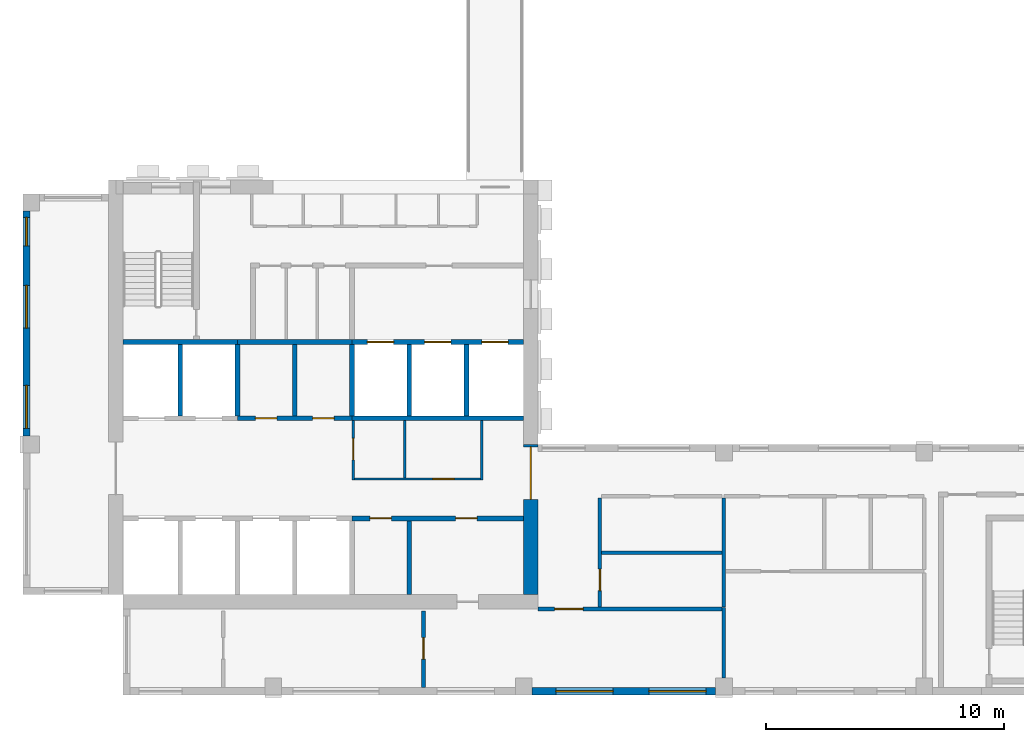
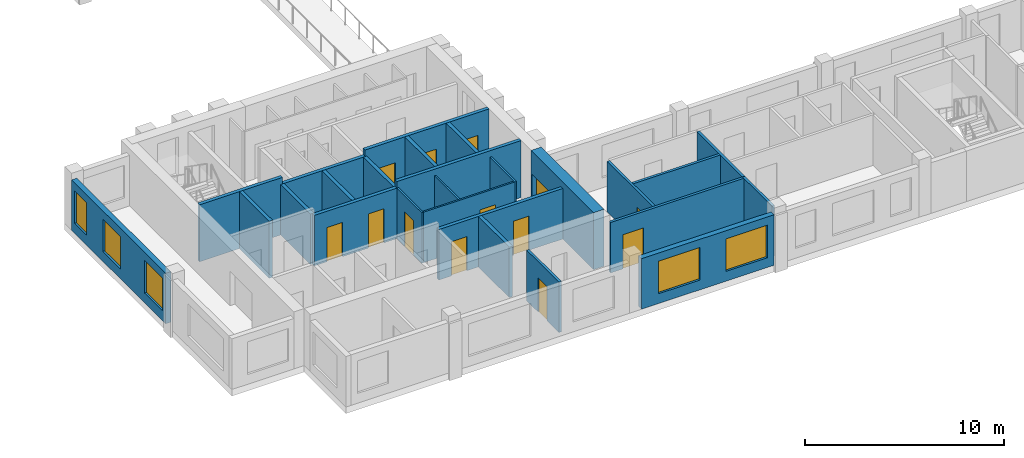
# One storey, part 2 of 9: 26 walls, 13 doors, 5 windows, 18 openings.
"""IFC4 building model written with IfcOpenShell, lengths in metres."""

from ifc_helpers import new_model, si_unit, direction, frame, frame_2d, origin, place, context, subcontext, project, spatial, rectangle, extrude, source, transform, mapped, material, layer, layer_set, type_object, element, fill, save


model = new_model("IFC4")

# Units and contexts
model_context = context("Model", 3, precision=1e-05, world=origin(), true_north=direction((0.0, 1.0)))
body_context = subcontext(model_context, "Body", "Model", "MODEL_VIEW")
ifc_project = project(units=[si_unit("LENGTHUNIT", "METRE"), si_unit("AREAUNIT", "SQUARE_METRE"), si_unit("VOLUMEUNIT", "CUBIC_METRE"), si_unit("PLANEANGLEUNIT", "RADIAN"), si_unit("MASSUNIT", "GRAM", prefix="KILO")], contexts=[model_context])

# Site, building, storey
site_placement = place(None, origin())
site = spatial("IfcSite", under=ifc_project, at=site_placement, CompositionType="ELEMENT")
building_placement = place(site_placement, origin())
building = spatial("IfcBuilding", under=site, at=building_placement, Name="Aurelian Terraces", CompositionType="ELEMENT")
storey_placement = place(building_placement, frame((0.0, 0.0, 316.0)))
storey = spatial("IfcBuildingStorey", under=building, at=storey_placement, Name="L73", CompositionType="ELEMENT", Elevation=316.0)

# Wall, opening, door
ifc_material_1 = material(Name="Concrete fc' 55 MPa", Category="concrete")
ifc_layer_1 = layer(ifc_material_1, 0.6)
ifc_layer_set_1 = layer_set([ifc_layer_1], Name="CORE WALL 600 FC55")
wall_type_1 = type_object("IfcWallType", Name="CORE WALL 600 FC55", PredefinedType="SHEAR", material=ifc_layer_set_1)
shared_shape_1 = source(origin(), body_context, "Body", "SweptSolid", [
    extrude(rectangle(XDim=6.3, YDim=0.6, at=frame_2d((3.15, 0.0))), origin(), (0.0, 0.0, 1.0), 3.5),
])
wall_1_placement = place(storey_placement, frame((21.3, 4.2, 0.0), z_axis=(0.0, 0.0, 1.0), x_axis=(0.0, 1.0, 0.0)))
wall_1 = element("IfcWall", 1, at=wall_1_placement, inside=storey, type_object=wall_type_1, Name="Core wall E L73", PredefinedType="SHEAR", context=body_context, shape_type="MappedRepresentation", body=[
    mapped(shared_shape_1, transform((0.0, 0.0, 0.0), scale=1.0)),
])
shared_shape_2 = source(origin(), body_context, "Body", "SweptSolid", [
    extrude(rectangle(XDim=2.2, YDim=2.1, at=frame_2d((1.1, 1.05))), frame((0.0, 0.31, 0.0), z_axis=(0.0, -1.0, 0.0), x_axis=(1.0, 0.0, 0.0)), (0.0, 0.0, 1.0), 0.62),
])
opening_1_placement = place(wall_1_placement, frame((4.0, 0.0, 0.0)))
opening_1 = element("IfcOpeningElement", 2, at=opening_1_placement, cuts=wall_1, Name="Opening 67631", PredefinedType="OPENING", context=body_context, shape_type="MappedRepresentation", body=[
    mapped(shared_shape_2, transform((0.0, 0.0, 0.0), scale=1.0)),
])
ifc_material_2 = material(Name="Steel door leaf", Category="steel")
door_type_1 = type_object("IfcDoorType", Name="Core double door 2200x2100", OperationType="DOUBLE_DOOR_SINGLE_SWING", PredefinedType="DOOR", material=ifc_material_2)
shared_shape_3 = source(origin(), body_context, "Body", "SweptSolid", [
    extrude(rectangle(XDim=2.2, YDim=2.1, at=frame_2d((1.1, 1.05))), frame((0.0, 0.025, 0.0), z_axis=(0.0, -1.0, 0.0), x_axis=(1.0, 0.0, 0.0)), (0.0, 0.0, 1.0), 0.05),
])
door_1_placement = place(opening_1_placement, origin())
door_1 = element("IfcDoor", 3, at=door_1_placement, inside=storey, type_object=door_type_1, Name="Core door 67631", OperationType="DOUBLE_DOOR_SINGLE_SWING", OverallHeight=2.1, OverallWidth=2.2, PredefinedType="DOOR", context=body_context, shape_type="MappedRepresentation", body=[
    mapped(shared_shape_3, transform((0.0, 0.0, 0.0), scale=1.0)),
])
fill(opening_1, door_1)

# Wall, openings, windows
ifc_material_3 = material(Name="Terracotta rainscreen cladding", Category="masonry")
ifc_layer_2 = layer(ifc_material_3, 0.3)
ifc_layer_set_2 = layer_set([ifc_layer_2], Name="EW-300")
wall_type_2 = type_object("IfcWallType", Name="EW-300", PredefinedType="STANDARD", material=ifc_layer_set_2)
shared_shape_4 = source(origin(), body_context, "Body", "SweptSolid", [
    extrude(rectangle(XDim=7.7, YDim=0.3, at=frame_2d((3.85, 0.0))), origin(), (0.0, 0.0, 1.0), 3.1),
])
wall_2_placement = place(storey_placement, frame((21.35, 0.15, 0.0), z_axis=(0.0, 0.0, 1.0), x_axis=(1.0, 0.0, 0.0)))
wall_2 = element("IfcWall", 4, at=wall_2_placement, inside=storey, type_object=wall_type_2, Name="External wall L73 F01.3", PredefinedType="STANDARD", context=body_context, shape_type="MappedRepresentation", body=[
    mapped(shared_shape_4, transform((0.0, 0.0, 0.0), scale=1.0)),
])
shared_shape_5 = source(origin(), body_context, "Body", "SweptSolid", [
    extrude(rectangle(XDim=2.4, YDim=2.0, at=frame_2d((1.2, 1.0))), frame((0.0, 0.16, 0.0), z_axis=(0.0, -1.0, 0.0), x_axis=(1.0, 0.0, 0.0)), (0.0, 0.0, 1.0), 0.32),
])
opening_2_placement = place(wall_2_placement, frame((1.0, 0.0, 0.6)))
opening_2 = element("IfcOpeningElement", 5, at=opening_2_placement, cuts=wall_2, Name="Opening W2420", PredefinedType="OPENING", context=body_context, shape_type="MappedRepresentation", body=[
    mapped(shared_shape_5, transform((0.0, 0.0, 0.0), scale=1.0)),
])
opening_3_placement = place(wall_2_placement, frame((4.9, 0.0, 0.6)))
opening_3 = element("IfcOpeningElement", 6, at=opening_3_placement, cuts=wall_2, Name="Opening W2420", PredefinedType="OPENING", context=body_context, shape_type="MappedRepresentation", body=[
    mapped(shared_shape_5, transform((0.0, 0.0, 0.0), scale=1.0)),
])
ifc_material_4 = material(Name="Clear glazing", Category="glass")
window_type_1 = type_object("IfcWindowType", Name="W-2400x2000", PartitioningType="SINGLE_PANEL", PredefinedType="WINDOW", material=ifc_material_4)
shared_shape_6 = source(origin(), body_context, "Body", "SweptSolid", [
    extrude(rectangle(XDim=2.4, YDim=2.0, at=frame_2d((1.2, 1.0))), frame((0.0, 0.03, 0.0), z_axis=(0.0, -1.0, 0.0), x_axis=(1.0, 0.0, 0.0)), (0.0, 0.0, 1.0), 0.06),
])
window_1_placement = place(opening_2_placement, origin())
window_1 = element("IfcWindow", 7, at=window_1_placement, inside=storey, type_object=window_type_1, Name="Window L73 L73-F01-03-1", OverallHeight=2.0, OverallWidth=2.4, PartitioningType="SINGLE_PANEL", PredefinedType="WINDOW", context=body_context, shape_type="MappedRepresentation", body=[
    mapped(shared_shape_6, transform((0.0, 0.0, 0.0), scale=1.0)),
])
fill(opening_2, window_1)
window_2_placement = place(opening_3_placement, origin())
window_2 = element("IfcWindow", 8, at=window_2_placement, inside=storey, type_object=window_type_1, Name="Window L73 L73-F01-03-2", OverallHeight=2.0, OverallWidth=2.4, PartitioningType="SINGLE_PANEL", PredefinedType="WINDOW", context=body_context, shape_type="MappedRepresentation", body=[
    mapped(shared_shape_6, transform((0.0, 0.0, 0.0), scale=1.0)),
])
fill(opening_3, window_2)

shared_shape_7 = source(origin(), body_context, "Body", "SweptSolid", [
    extrude(rectangle(XDim=9.45, YDim=0.3, at=frame_2d((4.725, 0.0))), origin(), (0.0, 0.0, 1.0), 3.1),
])
wall_3_placement = place(storey_placement, frame((0.15, 20.3, 0.0), z_axis=(0.0, 0.0, 1.0), x_axis=(0.0, -1.0, 0.0)))
wall_3 = element("IfcWall", 9, at=wall_3_placement, inside=storey, type_object=wall_type_2, Name="External wall L73 F12.18", PredefinedType="STANDARD", context=body_context, shape_type="MappedRepresentation", body=[
    mapped(shared_shape_7, transform((0.0, 0.0, 0.0), scale=1.0)),
])
shared_shape_8 = source(origin(), body_context, "Body", "SweptSolid", [
    extrude(rectangle(XDim=1.2, YDim=2.0, at=frame_2d((0.6, 1.0))), frame((0.0, 0.16, 0.0), z_axis=(0.0, -1.0, 0.0), x_axis=(1.0, 0.0, 0.0)), (0.0, 0.0, 1.0), 0.32),
])
opening_4_placement = place(wall_3_placement, frame((0.275, 0.0, 0.6)))
opening_4 = element("IfcOpeningElement", 10, at=opening_4_placement, cuts=wall_3, Name="Opening W1220", PredefinedType="OPENING", context=body_context, shape_type="MappedRepresentation", body=[
    mapped(shared_shape_8, transform((0.0, 0.0, 0.0), scale=1.0)),
])
shared_shape_9 = source(origin(), body_context, "Body", "SweptSolid", [
    extrude(rectangle(XDim=1.8, YDim=2.0, at=frame_2d((0.9, 1.0))), frame((0.0, 0.16, 0.0), z_axis=(0.0, -1.0, 0.0), x_axis=(1.0, 0.0, 0.0)), (0.0, 0.0, 1.0), 0.32),
])
opening_5_placement = place(wall_3_placement, frame((3.125, 0.0, 0.6)))
opening_5 = element("IfcOpeningElement", 11, at=opening_5_placement, cuts=wall_3, Name="Opening W1820", PredefinedType="OPENING", context=body_context, shape_type="MappedRepresentation", body=[
    mapped(shared_shape_9, transform((0.0, 0.0, 0.0), scale=1.0)),
])
opening_6_placement = place(wall_3_placement, frame((7.325, 0.0, 0.6)))
opening_6 = element("IfcOpeningElement", 12, at=opening_6_placement, cuts=wall_3, Name="Opening W1820", PredefinedType="OPENING", context=body_context, shape_type="MappedRepresentation", body=[
    mapped(shared_shape_9, transform((0.0, 0.0, 0.0), scale=1.0)),
])
window_type_2 = type_object("IfcWindowType", Name="W-1200x2000", PartitioningType="SINGLE_PANEL", PredefinedType="WINDOW", material=ifc_material_4)
shared_shape_10 = source(origin(), body_context, "Body", "SweptSolid", [
    extrude(rectangle(XDim=1.2, YDim=2.0, at=frame_2d((0.6, 1.0))), frame((0.0, 0.03, 0.0), z_axis=(0.0, -1.0, 0.0), x_axis=(1.0, 0.0, 0.0)), (0.0, 0.0, 1.0), 0.06),
])
window_3_placement = place(opening_4_placement, origin())
window_3 = element("IfcWindow", 13, at=window_3_placement, inside=storey, type_object=window_type_2, Name="Window L73 L73-F12-18-0", OverallHeight=2.0, OverallWidth=1.2, PartitioningType="SINGLE_PANEL", PredefinedType="WINDOW", context=body_context, shape_type="MappedRepresentation", body=[
    mapped(shared_shape_10, transform((0.0, 0.0, 0.0), scale=1.0)),
])
fill(opening_4, window_3)
window_type_3 = type_object("IfcWindowType", Name="W-1800x2000", PartitioningType="SINGLE_PANEL", PredefinedType="WINDOW", material=ifc_material_4)
shared_shape_11 = source(origin(), body_context, "Body", "SweptSolid", [
    extrude(rectangle(XDim=1.8, YDim=2.0, at=frame_2d((0.9, 1.0))), frame((0.0, 0.03, 0.0), z_axis=(0.0, -1.0, 0.0), x_axis=(1.0, 0.0, 0.0)), (0.0, 0.0, 1.0), 0.06),
])
window_4_placement = place(opening_5_placement, origin())
window_4 = element("IfcWindow", 14, at=window_4_placement, inside=storey, type_object=window_type_3, Name="Window L73 L73-F12-18-1", OverallHeight=2.0, OverallWidth=1.8, PartitioningType="SINGLE_PANEL", PredefinedType="WINDOW", context=body_context, shape_type="MappedRepresentation", body=[
    mapped(shared_shape_11, transform((0.0, 0.0, 0.0), scale=1.0)),
])
fill(opening_5, window_4)
window_5_placement = place(opening_6_placement, origin())
window_5 = element("IfcWindow", 15, at=window_5_placement, inside=storey, type_object=window_type_3, Name="Window L73 L73-F12-18-2", OverallHeight=2.0, OverallWidth=1.8, PartitioningType="SINGLE_PANEL", PredefinedType="WINDOW", context=body_context, shape_type="MappedRepresentation", body=[
    mapped(shared_shape_11, transform((0.0, 0.0, 0.0), scale=1.0)),
])
fill(opening_6, window_5)

# Walls
ifc_material_5 = material(Name="Concrete fc' 40 MPa", Category="concrete")
ifc_layer_3 = layer(ifc_material_5, 0.2)
ifc_layer_set_3 = layer_set([ifc_layer_3], Name="Lift shaft wall 200")
wall_type_3 = type_object("IfcWallType", Name="Lift shaft wall 200", PredefinedType="SOLIDWALL", material=ifc_layer_set_3)
shared_shape_12 = source(origin(), body_context, "Body", "SweptSolid", [
    extrude(rectangle(XDim=3.0, YDim=0.2, at=frame_2d((1.5, 0.0))), origin(), (0.0, 0.0, 1.0), 3.1),
])
for number, where, z_axis, x_axis, name in (
    (16, (9.0, 11.7, 0.0), (0.0, 0.0, 1.0), (0.0, 1.0, 0.0), "L73 core wall CD-B2"),
    (17, (13.8, 11.7, 0.0), (0.0, 0.0, 1.0), (0.0, 1.0, 0.0), "L73 core wall CD-B4"),
):
    element("IfcWall", number, at=place(storey_placement, frame(where, z_axis=z_axis, x_axis=x_axis)), inside=storey, type_object=wall_type_3, Name=name, PredefinedType="SOLIDWALL", context=body_context, shape_type="MappedRepresentation", body=[
        mapped(shared_shape_12, transform((0.0, 0.0, 0.0), scale=1.0)),
    ])
shared_shape_13 = source(origin(), body_context, "Body", "SweptSolid", [
    extrude(rectangle(XDim=3.0, YDim=0.2, at=frame_2d((1.5, 0.0))), origin(), (0.0, 0.0, 1.0), 3.5),
])
for number, where, z_axis, x_axis, name in (
    (18, (6.6, 11.7, 0.0), (0.0, 0.0, 1.0), (0.0, 1.0, 0.0), "L73 core wall CD-B1"),
    (19, (16.2, 11.7, 0.0), (0.0, 0.0, 1.0), (0.0, 1.0, 0.0), "L73 core wall CD-B5"),
    (20, (18.6, 11.7, 0.0), (0.0, 0.0, 1.0), (0.0, 1.0, 0.0), "L73 core wall CD-B6"),
):
    element("IfcWall", number, at=place(storey_placement, frame(where, z_axis=z_axis, x_axis=x_axis)), inside=storey, type_object=wall_type_3, Name=name, PredefinedType="SOLIDWALL", context=body_context, shape_type="MappedRepresentation", body=[
        mapped(shared_shape_13, transform((0.0, 0.0, 0.0), scale=1.0)),
    ])
shared_shape_14 = source(origin(), body_context, "Body", "SweptSolid", [
    extrude(rectangle(XDim=4.8, YDim=0.2, at=frame_2d((2.4, 0.0))), origin(), (0.0, 0.0, 1.0), 3.5),
])
wall_4_placement = place(storey_placement, frame((4.2, 14.8, 0.0), z_axis=(0.0, 0.0, 1.0), x_axis=(1.0, 0.0, 0.0)))
element("IfcWall", 21, at=wall_4_placement, inside=storey, type_object=wall_type_3, Name="L73 core wall CF-BB1", PredefinedType="SOLIDWALL", context=body_context, shape_type="MappedRepresentation", body=[
    mapped(shared_shape_14, transform((0.0, 0.0, 0.0), scale=1.0)),
])

# Wall, openings, doors
shared_shape_15 = source(origin(), body_context, "Body", "SweptSolid", [
    extrude(rectangle(XDim=4.8, YDim=0.2, at=frame_2d((2.4, 0.0))), origin(), (0.0, 0.0, 1.0), 3.1),
])
wall_5_placement = place(storey_placement, frame((9.0, 11.6, 0.0), z_axis=(0.0, 0.0, 1.0), x_axis=(1.0, 0.0, 0.0)))
wall_5 = element("IfcWall", 22, at=wall_5_placement, inside=storey, type_object=wall_type_3, Name="L73 core wall CF-BF2", PredefinedType="SOLIDWALL", context=body_context, shape_type="MappedRepresentation", body=[
    mapped(shared_shape_15, transform((0.0, 0.0, 0.0), scale=1.0)),
])
shared_shape_16 = source(origin(), body_context, "Body", "SweptSolid", [
    extrude(rectangle(XDim=0.9, YDim=2.1, at=frame_2d((0.45, 1.05))), frame((0.0, 0.11, 0.0), z_axis=(0.0, -1.0, 0.0), x_axis=(1.0, 0.0, 0.0)), (0.0, 0.0, 1.0), 0.22),
])
opening_7_placement = place(wall_5_placement, frame((0.75, 0.0, 0.0)))
opening_7 = element("IfcOpeningElement", 23, at=opening_7_placement, cuts=wall_5, Name="Opening 67608", PredefinedType="OPENING", context=body_context, shape_type="MappedRepresentation", body=[
    mapped(shared_shape_16, transform((0.0, 0.0, 0.0), scale=1.0)),
])
opening_8_placement = place(wall_5_placement, frame((3.15, 0.0, 0.0)))
opening_8 = element("IfcOpeningElement", 24, at=opening_8_placement, cuts=wall_5, Name="Opening 67609", PredefinedType="OPENING", context=body_context, shape_type="MappedRepresentation", body=[
    mapped(shared_shape_16, transform((0.0, 0.0, 0.0), scale=1.0)),
])
door_type_2 = type_object("IfcDoorType", Name="Core service door 900x2100", OperationType="SINGLE_SWING_LEFT", PredefinedType="DOOR", material=ifc_material_2)
shared_shape_17 = source(origin(), body_context, "Body", "SweptSolid", [
    extrude(rectangle(XDim=0.9, YDim=2.1, at=frame_2d((0.45, 1.05))), frame((0.0, 0.025, 0.0), z_axis=(0.0, -1.0, 0.0), x_axis=(1.0, 0.0, 0.0)), (0.0, 0.0, 1.0), 0.05),
])
door_2_placement = place(opening_7_placement, origin())
door_2 = element("IfcDoor", 25, at=door_2_placement, inside=storey, type_object=door_type_2, Name="Room door 67608", OperationType="SINGLE_SWING_LEFT", OverallHeight=2.1, OverallWidth=0.9, PredefinedType="DOOR", context=body_context, shape_type="MappedRepresentation", body=[
    mapped(shared_shape_17, transform((0.0, 0.0, 0.0), scale=1.0)),
])
fill(opening_7, door_2)
door_type_3 = type_object("IfcDoorType", Name="Core service door 900x2100 right", OperationType="SINGLE_SWING_RIGHT", PredefinedType="DOOR", material=ifc_material_2)
door_3_placement = place(opening_8_placement, origin())
door_3 = element("IfcDoor", 26, at=door_3_placement, inside=storey, type_object=door_type_3, Name="Room door 67609", OperationType="SINGLE_SWING_RIGHT", OverallHeight=2.1, OverallWidth=0.9, PredefinedType="DOOR", context=body_context, shape_type="MappedRepresentation", body=[
    mapped(shared_shape_17, transform((0.0, 0.0, 0.0), scale=1.0)),
])
fill(opening_8, door_3)

# Walls
wall_6_placement = place(storey_placement, frame((9.0, 14.8, 0.0), z_axis=(0.0, 0.0, 1.0), x_axis=(1.0, 0.0, 0.0)))
element("IfcWall", 27, at=wall_6_placement, inside=storey, type_object=wall_type_3, Name="L73 core wall CF-BB2", PredefinedType="SOLIDWALL", context=body_context, shape_type="MappedRepresentation", body=[
    mapped(shared_shape_15, transform((0.0, 0.0, 0.0), scale=1.0)),
])
shared_shape_18 = source(origin(), body_context, "Body", "SweptSolid", [
    extrude(rectangle(XDim=7.2, YDim=0.2, at=frame_2d((3.6, 0.0))), origin(), (0.0, 0.0, 1.0), 3.5),
])
wall_7_placement = place(storey_placement, frame((13.8, 11.6, 0.0), z_axis=(0.0, 0.0, 1.0), x_axis=(1.0, 0.0, 0.0)))
element("IfcWall", 28, at=wall_7_placement, inside=storey, type_object=wall_type_3, Name="L73 core wall CF-BF3", PredefinedType="SOLIDWALL", context=body_context, shape_type="MappedRepresentation", body=[
    mapped(shared_shape_18, transform((0.0, 0.0, 0.0), scale=1.0)),
])

# Wall, openings, doors
wall_8_placement = place(storey_placement, frame((13.8, 14.8, 0.0), z_axis=(0.0, 0.0, 1.0), x_axis=(1.0, 0.0, 0.0)))
wall_8 = element("IfcWall", 29, at=wall_8_placement, inside=storey, type_object=wall_type_3, Name="L73 core wall CF-BB3", PredefinedType="SOLIDWALL", context=body_context, shape_type="MappedRepresentation", body=[
    mapped(shared_shape_18, transform((0.0, 0.0, 0.0), scale=1.0)),
])
shared_shape_19 = source(origin(), body_context, "Body", "SweptSolid", [
    extrude(rectangle(XDim=1.1, YDim=2.1, at=frame_2d((0.55, 1.05))), frame((0.0, 0.11, 0.0), z_axis=(0.0, -1.0, 0.0), x_axis=(1.0, 0.0, 0.0)), (0.0, 0.0, 1.0), 0.22),
])
opening_9_placement = place(wall_8_placement, frame((0.65, 0.0, 0.0)))
opening_9 = element("IfcOpeningElement", 30, at=opening_9_placement, cuts=wall_8, Name="Opening 67610", PredefinedType="OPENING", context=body_context, shape_type="MappedRepresentation", body=[
    mapped(shared_shape_19, transform((0.0, 0.0, 0.0), scale=1.0)),
])
opening_10_placement = place(wall_8_placement, frame((3.05, 0.0, 0.0)))
opening_10 = element("IfcOpeningElement", 31, at=opening_10_placement, cuts=wall_8, Name="Opening 67611", PredefinedType="OPENING", context=body_context, shape_type="MappedRepresentation", body=[
    mapped(shared_shape_19, transform((0.0, 0.0, 0.0), scale=1.0)),
])
opening_11_placement = place(wall_8_placement, frame((5.45, 0.0, 0.0)))
opening_11 = element("IfcOpeningElement", 32, at=opening_11_placement, cuts=wall_8, Name="Opening 67612", PredefinedType="OPENING", context=body_context, shape_type="MappedRepresentation", body=[
    mapped(shared_shape_19, transform((0.0, 0.0, 0.0), scale=1.0)),
])
ifc_material_6 = material(Name="Stainless steel", Category="steel")
door_type_4 = type_object("IfcDoorType", Name="Lift landing door 1100x2100", OperationType="SLIDING_TO_LEFT", PredefinedType="DOOR", material=ifc_material_6)
shared_shape_20 = source(origin(), body_context, "Body", "SweptSolid", [
    extrude(rectangle(XDim=1.1, YDim=2.1, at=frame_2d((0.55, 1.05))), frame((0.0, 0.025, 0.0), z_axis=(0.0, -1.0, 0.0), x_axis=(1.0, 0.0, 0.0)), (0.0, 0.0, 1.0), 0.05),
])
door_4_placement = place(opening_9_placement, origin())
door_4 = element("IfcDoor", 33, at=door_4_placement, inside=storey, type_object=door_type_4, Name="Lift landing door F1 L73", OperationType="SLIDING_TO_LEFT", OverallHeight=2.1, OverallWidth=1.1, PredefinedType="DOOR", context=body_context, shape_type="MappedRepresentation", body=[
    mapped(shared_shape_20, transform((0.0, 0.0, 0.0), scale=1.0)),
])
fill(opening_9, door_4)
door_5_placement = place(opening_10_placement, origin())
door_5 = element("IfcDoor", 34, at=door_5_placement, inside=storey, type_object=door_type_4, Name="Lift landing door F2 L73", OperationType="SLIDING_TO_LEFT", OverallHeight=2.1, OverallWidth=1.1, PredefinedType="DOOR", context=body_context, shape_type="MappedRepresentation", body=[
    mapped(shared_shape_20, transform((0.0, 0.0, 0.0), scale=1.0)),
])
fill(opening_10, door_5)
door_6_placement = place(opening_11_placement, origin())
door_6 = element("IfcDoor", 35, at=door_6_placement, inside=storey, type_object=door_type_4, Name="Lift landing door F3 L73", OperationType="SLIDING_TO_LEFT", OverallHeight=2.1, OverallWidth=1.1, PredefinedType="DOOR", context=body_context, shape_type="MappedRepresentation", body=[
    mapped(shared_shape_20, transform((0.0, 0.0, 0.0), scale=1.0)),
])
fill(opening_11, door_6)

# Walls
ifc_material_7 = material(Name="Gypsum board on steel studs", Category="steel")
ifc_layer_4 = layer(ifc_material_7, 0.2)
ifc_layer_set_4 = layer_set([ifc_layer_4], Name="Core partition 200")
wall_type_4 = type_object("IfcWallType", Name="Core partition 200", PredefinedType="PARTITIONING", material=ifc_layer_set_4)
shared_shape_21 = source(origin(), body_context, "Body", "SweptSolid", [
    extrude(rectangle(XDim=3.0, YDim=0.2, at=frame_2d((1.5, 0.0))), origin(), (0.0, 0.0, 1.0), 3.1),
])
wall_9_placement = place(storey_placement, frame((11.4, 11.7, 0.0), z_axis=(0.0, 0.0, 1.0), x_axis=(0.0, 1.0, 0.0)))
element("IfcWall", 36, at=wall_9_placement, inside=storey, type_object=wall_type_4, Name="L73 core wall CS-B3", PredefinedType="PARTITIONING", context=body_context, shape_type="MappedRepresentation", body=[
    mapped(shared_shape_21, transform((0.0, 0.0, 0.0), scale=1.0)),
])
shared_shape_22 = source(origin(), body_context, "Body", "SweptSolid", [
    extrude(rectangle(XDim=3.1, YDim=0.2, at=frame_2d((1.55, 0.0))), origin(), (0.0, 0.0, 1.0), 3.1),
])
wall_10_placement = place(storey_placement, frame((16.2, 4.2, 0.0), z_axis=(0.0, 0.0, 1.0), x_axis=(0.0, 1.0, 0.0)))
element("IfcWall", 37, at=wall_10_placement, inside=storey, type_object=wall_type_4, Name="L73 core wall CS-A5", PredefinedType="PARTITIONING", context=body_context, shape_type="MappedRepresentation", body=[
    mapped(shared_shape_22, transform((0.0, 0.0, 0.0), scale=1.0)),
])

# Wall, openings, doors
shared_shape_23 = source(origin(), body_context, "Body", "SweptSolid", [
    extrude(rectangle(XDim=7.2, YDim=0.2, at=frame_2d((3.6, 0.0))), origin(), (0.0, 0.0, 1.0), 3.1),
])
wall_11_placement = place(storey_placement, frame((13.8, 7.4, 0.0), z_axis=(0.0, 0.0, 1.0), x_axis=(1.0, 0.0, 0.0)))
wall_11 = element("IfcWall", 38, at=wall_11_placement, inside=storey, type_object=wall_type_3, Name="L73 core wall CF-AF2", PredefinedType="SOLIDWALL", context=body_context, shape_type="MappedRepresentation", body=[
    mapped(shared_shape_23, transform((0.0, 0.0, 0.0), scale=1.0)),
])
opening_12_placement = place(wall_11_placement, frame((0.75, 0.0, 0.0)))
opening_12 = element("IfcOpeningElement", 39, at=opening_12_placement, cuts=wall_11, Name="Opening 67604", PredefinedType="OPENING", context=body_context, shape_type="MappedRepresentation", body=[
    mapped(shared_shape_16, transform((0.0, 0.0, 0.0), scale=1.0)),
])
opening_13_placement = place(wall_11_placement, frame((4.35, 0.0, 0.0)))
opening_13 = element("IfcOpeningElement", 40, at=opening_13_placement, cuts=wall_11, Name="Opening 67605", PredefinedType="OPENING", context=body_context, shape_type="MappedRepresentation", body=[
    mapped(shared_shape_16, transform((0.0, 0.0, 0.0), scale=1.0)),
])
door_7_placement = place(opening_12_placement, origin())
door_7 = element("IfcDoor", 41, at=door_7_placement, inside=storey, type_object=door_type_2, Name="Room door 67604", OperationType="SINGLE_SWING_LEFT", OverallHeight=2.1, OverallWidth=0.9, PredefinedType="DOOR", context=body_context, shape_type="MappedRepresentation", body=[
    mapped(shared_shape_17, transform((0.0, 0.0, 0.0), scale=1.0)),
])
fill(opening_12, door_7)
door_8_placement = place(opening_13_placement, origin())
door_8 = element("IfcDoor", 42, at=door_8_placement, inside=storey, type_object=door_type_3, Name="Room door 67605", OperationType="SINGLE_SWING_RIGHT", OverallHeight=2.1, OverallWidth=0.9, PredefinedType="DOOR", context=body_context, shape_type="MappedRepresentation", body=[
    mapped(shared_shape_17, transform((0.0, 0.0, 0.0), scale=1.0)),
])
fill(opening_13, door_8)

# Wall, opening, door
ifc_layer_5 = layer(ifc_material_7, 0.1)
ifc_layer_set_5 = layer_set([ifc_layer_5], Name="Core partition 100")
wall_type_5 = type_object("IfcWallType", Name="Core partition 100", PredefinedType="PARTITIONING", material=ifc_layer_set_5)
shared_shape_24 = source(origin(), body_context, "Body", "SweptSolid", [
    extrude(rectangle(XDim=2.5, YDim=0.1, at=frame_2d((1.25, 0.0))), origin(), (0.0, 0.0, 1.0), 3.1),
])
wall_12_placement = place(storey_placement, frame((13.85, 9.0, 0.0), z_axis=(0.0, 0.0, 1.0), x_axis=(0.0, 1.0, 0.0)))
wall_12 = element("IfcWall", 43, at=wall_12_placement, inside=storey, type_object=wall_type_5, Name="L73 core wall SV-EW", PredefinedType="PARTITIONING", context=body_context, shape_type="MappedRepresentation", body=[
    mapped(shared_shape_24, transform((0.0, 0.0, 0.0), scale=1.0)),
])
shared_shape_25 = source(origin(), body_context, "Body", "SweptSolid", [
    extrude(rectangle(XDim=0.9, YDim=2.1, at=frame_2d((0.45, 1.05))), frame((0.0, 0.06, 0.0), z_axis=(0.0, -1.0, 0.0), x_axis=(1.0, 0.0, 0.0)), (0.0, 0.0, 1.0), 0.12),
])
opening_14_placement = place(wall_12_placement, frame((0.85, 0.0, 0.0)))
opening_14 = element("IfcOpeningElement", 44, at=opening_14_placement, cuts=wall_12, Name="Opening 67624", PredefinedType="OPENING", context=body_context, shape_type="MappedRepresentation", body=[
    mapped(shared_shape_25, transform((0.0, 0.0, 0.0), scale=1.0)),
])
door_9_placement = place(opening_14_placement, origin())
door_9 = element("IfcDoor", 45, at=door_9_placement, inside=storey, type_object=door_type_2, Name="Room door 67624", OperationType="SINGLE_SWING_LEFT", OverallHeight=2.1, OverallWidth=0.9, PredefinedType="DOOR", context=body_context, shape_type="MappedRepresentation", body=[
    mapped(shared_shape_17, transform((0.0, 0.0, 0.0), scale=1.0)),
])
fill(opening_14, door_9)

# Walls
wall_13_placement = place(storey_placement, frame((19.25, 9.0, 0.0), z_axis=(0.0, 0.0, 1.0), x_axis=(0.0, 1.0, 0.0)))
element("IfcWall", 46, at=wall_13_placement, inside=storey, type_object=wall_type_5, Name="L73 core wall SV-EE", PredefinedType="PARTITIONING", context=body_context, shape_type="MappedRepresentation", body=[
    mapped(shared_shape_24, transform((0.0, 0.0, 0.0), scale=1.0)),
])
shared_shape_26 = source(origin(), body_context, "Body", "SweptSolid", [
    extrude(rectangle(XDim=2.4, YDim=0.1, at=frame_2d((1.2, 0.0))), origin(), (0.0, 0.0, 1.0), 3.1),
])
wall_14_placement = place(storey_placement, frame((16.02, 9.1, 0.0), z_axis=(0.0, 0.0, 1.0), x_axis=(0.0, 1.0, 0.0)))
element("IfcWall", 47, at=wall_14_placement, inside=storey, type_object=wall_type_5, Name="L73 core wall SV-EP", PredefinedType="PARTITIONING", context=body_context, shape_type="MappedRepresentation", body=[
    mapped(shared_shape_26, transform((0.0, 0.0, 0.0), scale=1.0)),
])

# Wall, opening, door
shared_shape_27 = source(origin(), body_context, "Body", "SweptSolid", [
    extrude(rectangle(XDim=5.4, YDim=0.1, at=frame_2d((2.7, 0.0))), origin(), (0.0, 0.0, 1.0), 3.1),
])
wall_15_placement = place(storey_placement, frame((13.8, 9.05, 0.0), z_axis=(0.0, 0.0, 1.0), x_axis=(1.0, 0.0, 0.0)))
wall_15 = element("IfcWall", 48, at=wall_15_placement, inside=storey, type_object=wall_type_5, Name="L73 core wall SV-ES", PredefinedType="PARTITIONING", context=body_context, shape_type="MappedRepresentation", body=[
    mapped(shared_shape_27, transform((0.0, 0.0, 0.0), scale=1.0)),
])
opening_15_placement = place(wall_15_placement, frame((3.385, 0.0, 0.0)))
opening_15 = element("IfcOpeningElement", 49, at=opening_15_placement, cuts=wall_15, Name="Opening 67623", PredefinedType="OPENING", context=body_context, shape_type="MappedRepresentation", body=[
    mapped(shared_shape_25, transform((0.0, 0.0, 0.0), scale=1.0)),
])
door_10_placement = place(opening_15_placement, origin())
door_10 = element("IfcDoor", 50, at=door_10_placement, inside=storey, type_object=door_type_3, Name="Room door 67623", OperationType="SINGLE_SWING_RIGHT", OverallHeight=2.1, OverallWidth=0.9, PredefinedType="DOOR", context=body_context, shape_type="MappedRepresentation", body=[
    mapped(shared_shape_17, transform((0.0, 0.0, 0.0), scale=1.0)),
])
fill(opening_15, door_10)

ifc_layer_6 = layer(ifc_material_7, 0.15)
ifc_layer_set_6 = layer_set([ifc_layer_6], Name="Partition 150")
wall_type_6 = type_object("IfcWallType", Name="Partition 150", PredefinedType="PARTITIONING", material=ifc_layer_set_6)
shared_shape_28 = source(origin(), body_context, "Body", "SweptSolid", [
    extrude(rectangle(XDim=4.575, YDim=0.15, at=frame_2d((2.2875, 0.0))), origin(), (0.0, 0.0, 1.0), 3.1),
])
wall_16_placement = place(storey_placement, frame((24.2, 8.25, 0.0), z_axis=(0.0, 0.0, 1.0), x_axis=(0.0, -1.0, 0.0)))
wall_16 = element("IfcWall", 51, at=wall_16_placement, inside=storey, type_object=wall_type_6, Name="Partition", PredefinedType="PARTITIONING", context=body_context, shape_type="MappedRepresentation", body=[
    mapped(shared_shape_28, transform((0.0, 0.0, 0.0), scale=1.0)),
])
shared_shape_29 = source(origin(), body_context, "Body", "SweptSolid", [
    extrude(rectangle(XDim=0.9, YDim=2.1, at=frame_2d((0.45, 1.05))), frame((0.0, 0.085, 0.0), z_axis=(0.0, -1.0, 0.0), x_axis=(1.0, 0.0, 0.0)), (0.0, 0.0, 1.0), 0.17),
])
opening_16_placement = place(wall_16_placement, frame((2.981, 0.0, 0.0)))
opening_16 = element("IfcOpeningElement", 52, at=opening_16_placement, cuts=wall_16, Name="Opening 773002", PredefinedType="OPENING", context=body_context, shape_type="MappedRepresentation", body=[
    mapped(shared_shape_29, transform((0.0, 0.0, 0.0), scale=1.0)),
])
ifc_material_8 = material(Name="Timber door leaf", Category="wood")
door_type_5 = type_object("IfcDoorType", Name="Room door 900x2100 left", OperationType="SINGLE_SWING_LEFT", PredefinedType="DOOR", material=ifc_material_8)
door_11_placement = place(opening_16_placement, origin())
door_11 = element("IfcDoor", 53, at=door_11_placement, inside=storey, type_object=door_type_5, Name="Door 773002", OperationType="SINGLE_SWING_LEFT", OverallHeight=2.1, OverallWidth=0.9, PredefinedType="DOOR", context=body_context, shape_type="MappedRepresentation", body=[
    mapped(shared_shape_17, transform((0.0, 0.0, 0.0), scale=1.0)),
])
fill(opening_16, door_11)

# Wall
wall_17_placement = place(storey_placement, frame((29.4, 3.675, 0.0), z_axis=(0.0, 0.0, 1.0), x_axis=(0.0, 1.0, 0.0)))
element("IfcWall", 54, at=wall_17_placement, inside=storey, type_object=wall_type_6, Name="Partition", PredefinedType="PARTITIONING", context=body_context, shape_type="MappedRepresentation", body=[
    mapped(shared_shape_28, transform((0.0, 0.0, 0.0), scale=1.0)),
])

# Wall, opening, door
shared_shape_30 = source(origin(), body_context, "Body", "SweptSolid", [
    extrude(rectangle(XDim=7.725, YDim=0.15, at=frame_2d((3.8625, 0.0))), origin(), (0.0, 0.0, 1.0), 3.1),
])
wall_18_placement = place(storey_placement, frame((21.6, 3.6, 0.0), z_axis=(0.0, 0.0, 1.0), x_axis=(1.0, 0.0, 0.0)))
wall_18 = element("IfcWall", 55, at=wall_18_placement, inside=storey, type_object=wall_type_6, Name="Partition", PredefinedType="PARTITIONING", context=body_context, shape_type="MappedRepresentation", body=[
    mapped(shared_shape_30, transform((0.0, 0.0, 0.0), scale=1.0)),
])
shared_shape_31 = source(origin(), body_context, "Body", "SweptSolid", [
    extrude(rectangle(XDim=1.2, YDim=2.1, at=frame_2d((0.6, 1.05))), frame((0.0, 0.085, 0.0), z_axis=(0.0, -1.0, 0.0), x_axis=(1.0, 0.0, 0.0)), (0.0, 0.0, 1.0), 0.17),
])
opening_17_placement = place(wall_18_placement, frame((0.7, 0.0, 0.0)))
opening_17 = element("IfcOpeningElement", 56, at=opening_17_placement, cuts=wall_18, Name="Opening 773005", PredefinedType="OPENING", context=body_context, shape_type="MappedRepresentation", body=[
    mapped(shared_shape_31, transform((0.0, 0.0, 0.0), scale=1.0)),
])
door_type_6 = type_object("IfcDoorType", Name="Room door 1200x2100 left", OperationType="SINGLE_SWING_LEFT", PredefinedType="DOOR", material=ifc_material_8)
shared_shape_32 = source(origin(), body_context, "Body", "SweptSolid", [
    extrude(rectangle(XDim=1.2, YDim=2.1, at=frame_2d((0.6, 1.05))), frame((0.0, 0.025, 0.0), z_axis=(0.0, -1.0, 0.0), x_axis=(1.0, 0.0, 0.0)), (0.0, 0.0, 1.0), 0.05),
])
door_12_placement = place(opening_17_placement, origin())
door_12 = element("IfcDoor", 57, at=door_12_placement, inside=storey, type_object=door_type_6, Name="Door 773005", OperationType="SINGLE_SWING_LEFT", OverallHeight=2.1, OverallWidth=1.2, PredefinedType="DOOR", context=body_context, shape_type="MappedRepresentation", body=[
    mapped(shared_shape_32, transform((0.0, 0.0, 0.0), scale=1.0)),
])
fill(opening_17, door_12)

# Wall
ifc_layer_7 = layer(ifc_material_7, 0.15)
ifc_layer_set_7 = layer_set([ifc_layer_7], Name="Fire partition 150")
wall_type_7 = type_object("IfcWallType", Name="Fire partition 150", PredefinedType="PARTITIONING", material=ifc_layer_set_7)
shared_shape_33 = source(origin(), body_context, "Body", "SweptSolid", [
    extrude(rectangle(XDim=2.956, YDim=0.15, at=frame_2d((1.478, 0.0))), origin(), (0.0, 0.0, 1.0), 3.1),
])
wall_19_placement = place(storey_placement, frame((29.4, 0.699, 0.0), z_axis=(0.0, 0.0, 1.0), x_axis=(0.0, 1.0, 0.0)))
element("IfcWall", 58, at=wall_19_placement, inside=storey, type_object=wall_type_7, Name="Party wall", PredefinedType="PARTITIONING", context=body_context, shape_type="MappedRepresentation", body=[
    mapped(shared_shape_33, transform((0.0, 0.0, 0.0), scale=1.0)),
])

# Wall, opening, door
shared_shape_34 = source(origin(), body_context, "Body", "SweptSolid", [
    extrude(rectangle(XDim=3.225, YDim=0.15, at=frame_2d((1.6125, 0.0))), origin(), (0.0, 0.0, 1.0), 3.1),
])
wall_20_placement = place(storey_placement, frame((16.8, 3.525, 0.0), z_axis=(0.0, 0.0, 1.0), x_axis=(0.0, -1.0, 0.0)))
wall_20 = element("IfcWall", 59, at=wall_20_placement, inside=storey, type_object=wall_type_6, Name="Partition", PredefinedType="PARTITIONING", context=body_context, shape_type="MappedRepresentation", body=[
    mapped(shared_shape_34, transform((0.0, 0.0, 0.0), scale=1.0)),
])
opening_18_placement = place(wall_20_placement, frame((1.125, 0.0, 0.0)))
opening_18 = element("IfcOpeningElement", 60, at=opening_18_placement, cuts=wall_20, Name="Opening 773004", PredefinedType="OPENING", context=body_context, shape_type="MappedRepresentation", body=[
    mapped(shared_shape_29, transform((0.0, 0.0, 0.0), scale=1.0)),
])
door_type_7 = type_object("IfcDoorType", Name="Room door 900x2100 right", OperationType="SINGLE_SWING_RIGHT", PredefinedType="DOOR", material=ifc_material_8)
door_13_placement = place(opening_18_placement, origin())
door_13 = element("IfcDoor", 61, at=door_13_placement, inside=storey, type_object=door_type_7, Name="Door 773004", OperationType="SINGLE_SWING_RIGHT", OverallHeight=2.1, OverallWidth=0.9, PredefinedType="DOOR", context=body_context, shape_type="MappedRepresentation", body=[
    mapped(shared_shape_17, transform((0.0, 0.0, 0.0), scale=1.0)),
])
fill(opening_18, door_13)

# Wall
shared_shape_35 = source(origin(), body_context, "Body", "SweptSolid", [
    extrude(rectangle(XDim=5.05, YDim=0.15, at=frame_2d((2.525, 0.0))), origin(), (0.0, 0.0, 1.0), 3.1),
])
wall_21_placement = place(storey_placement, frame((29.325, 5.963, 0.0), z_axis=(0.0, 0.0, 1.0), x_axis=(-1.0, 0.0, 0.0)))
element("IfcWall", 62, at=wall_21_placement, inside=storey, type_object=wall_type_6, Name="Partition", PredefinedType="PARTITIONING", context=body_context, shape_type="MappedRepresentation", body=[
    mapped(shared_shape_35, transform((0.0, 0.0, 0.0), scale=1.0)),
])

save(model, "model.ifc")
